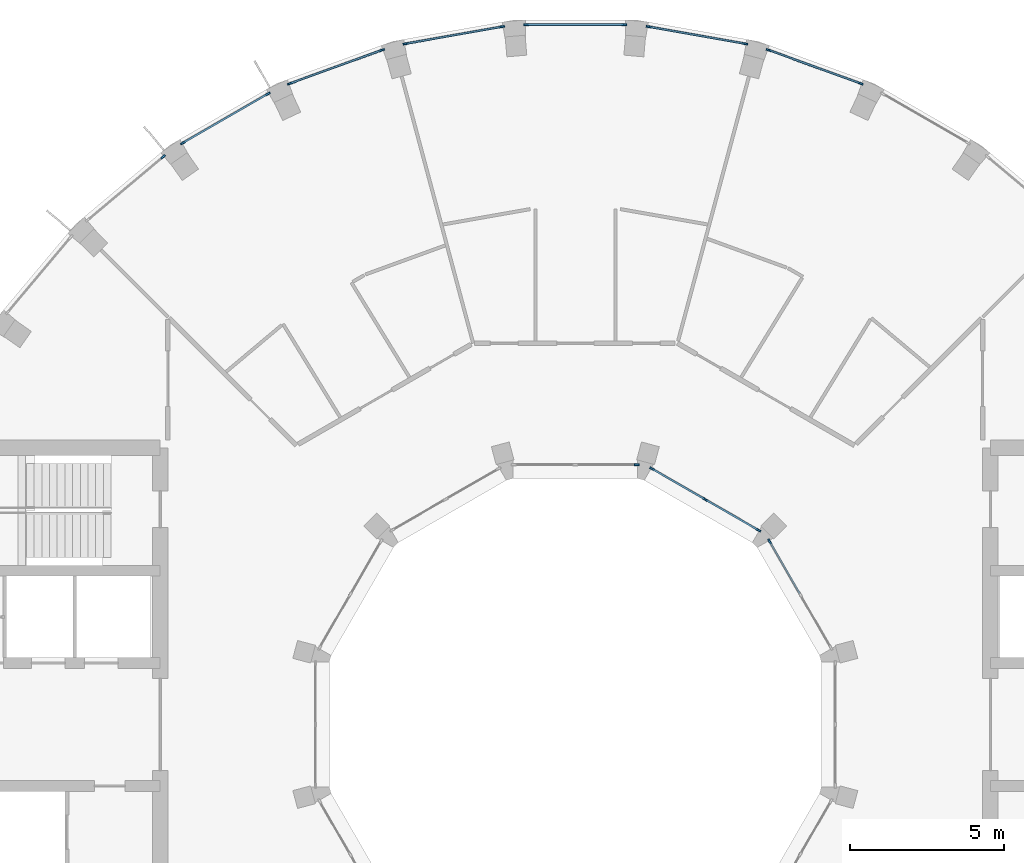
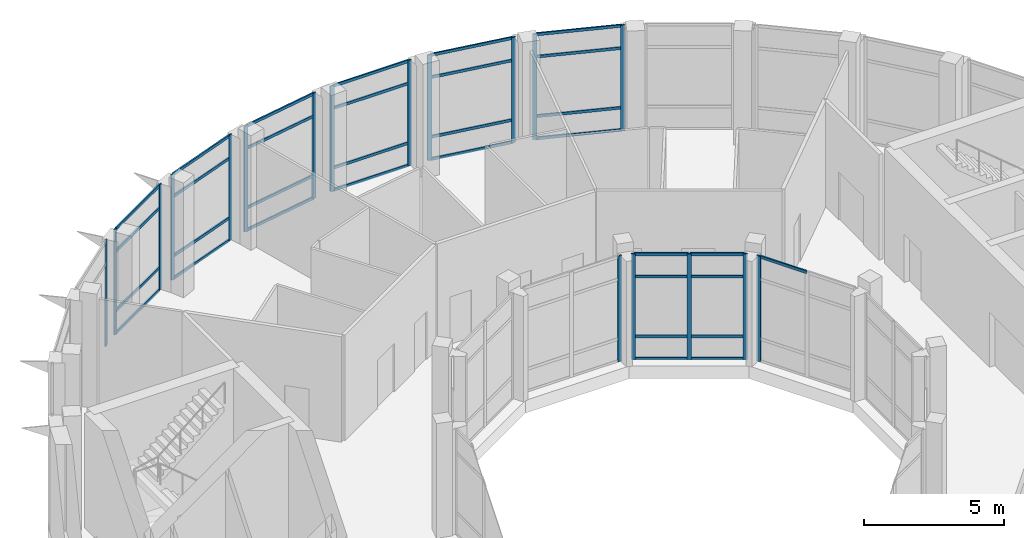
# One storey, part 8 of 19: 51 members, 10 elements without a shape of their own.
"""IFC4 building model written with IfcOpenShell, lengths in metres."""

from ifc_helpers import new_model, si_unit, direction, frame, origin, origin_2d, place, context, subcontext, project, spatial, rectangle, extrude, material, layer, layer_set, material_profile, profile_set, type_object, element, aggregate, save


model = new_model("IFC4")

# Units and contexts
model_context = context("Model", 3, precision=1e-05, world=origin(), true_north=direction((0.0, 1.0)))
body_context = subcontext(model_context, "Body", "Model", "MODEL_VIEW")
ifc_project = project(units=[si_unit("LENGTHUNIT", "METRE"), si_unit("AREAUNIT", "SQUARE_METRE"), si_unit("VOLUMEUNIT", "CUBIC_METRE"), si_unit("PLANEANGLEUNIT", "RADIAN"), si_unit("MASSUNIT", "GRAM", prefix="KILO")], contexts=[model_context])

# Site, building, storey
site_placement = place(None, origin())
site = spatial("IfcSite", under=ifc_project, at=site_placement, CompositionType="ELEMENT")
building_placement = place(site_placement, origin())
building = spatial("IfcBuilding", under=site, at=building_placement, Name="Saqina Gate Tower", CompositionType="ELEMENT")
storey_placement = place(building_placement, frame((0.0, 0.0, 224.699951171875)))
storey = spatial("IfcBuildingStorey", under=building, at=storey_placement, Name="L64", CompositionType="ELEMENT", Elevation=224.699951171875)

# Curtain wall, members
ifc_material_1 = material(Name="Aluminium glazing", Category="aluminium")
ifc_layer_1 = layer(ifc_material_1, 0.159912109375)
ifc_layer_set_1 = layer_set([ifc_layer_1], Name="CWT-2")
curtain_wall_type_1 = type_object("IfcCurtainWallType", Name="CWT-2", PredefinedType="NOTDEFINED", material=ifc_layer_set_1)
curtain_wall_1_placement = place(storey_placement, origin())
curtain_wall_1 = element("IfcCurtainWall", 1, at=curtain_wall_1_placement, inside=storey, type_object=curtain_wall_type_1, Name="Sky lounge glazing facet 7", PredefinedType="NOTDEFINED")
ifc_material_2 = material(Name="Aluminium", Category="aluminium")
ifc_material_profile_1 = material_profile(ifc_material_2, rectangle(XDim=0.06005859375, YDim=0.159912109375, at=origin_2d()), Name="Aluminium 60x160")
ifc_profile_set_1 = profile_set([ifc_material_profile_1], Name="Aluminium")
member_type_1 = type_object("IfcMemberType", Name="CWT-2M", PredefinedType="MULLION", material=ifc_profile_set_1)
member_1_placement = place(storey_placement, frame((9.284912109375, 20.843994140625, 0.0), z_axis=(0.0, 0.0, 1.0), x_axis=(-0.342007258437, -0.939697310402, 0.0)))
member_1 = element("IfcMember", 2, at=member_1_placement, type_object=member_type_1, Name="CW2-07 mullion 1", PredefinedType="MULLION", context=body_context, shape_type="SweptSolid", body=[
    extrude(rectangle(XDim=0.06005859375, YDim=0.159912109375, at=origin_2d()), origin(), (0.0, 0.0, 1.0), 4.60009765625),
])
member_2_placement = place(storey_placement, frame((6.28564453125, 21.935546875, 0.0), z_axis=(0.0, 0.0, 1.0), x_axis=(-0.342007258437, -0.939697310402, 0.0)))
member_2 = element("IfcMember", 3, at=member_2_placement, type_object=member_type_1, Name="CW2-07 mullion 2", PredefinedType="MULLION", context=body_context, shape_type="SweptSolid", body=[
    extrude(rectangle(XDim=0.06005859375, YDim=0.159912109375, at=origin_2d()), origin(), (0.0, 0.0, 1.0), 4.60009765625),
])

curtain_wall_2_placement = place(storey_placement, origin())
curtain_wall_2 = element("IfcCurtainWall", 4, at=curtain_wall_2_placement, inside=storey, type_object=curtain_wall_type_1, Name="Sky lounge glazing facet 8", PredefinedType="NOTDEFINED")
member_3_placement = place(storey_placement, frame((5.524169921875, 22.139404296875, 0.0), z_axis=(0.0, 0.0, 1.0), x_axis=(-0.173662526718, -0.984805222779, 0.0)))
member_3 = element("IfcMember", 5, at=member_3_placement, type_object=member_type_1, Name="CW2-08 mullion 1", PredefinedType="MULLION", context=body_context, shape_type="SweptSolid", body=[
    extrude(rectangle(XDim=0.06005859375, YDim=0.159912109375, at=origin_2d()), origin(), (0.0, 0.0, 1.0), 4.60009765625),
])
member_4_placement = place(storey_placement, frame((2.381103515625, 22.69384765625, 0.0), z_axis=(0.0, 0.0, 1.0), x_axis=(-0.173662526718, -0.984805222779, 0.0)))
member_4 = element("IfcMember", 6, at=member_4_placement, type_object=member_type_1, Name="CW2-08 mullion 2", PredefinedType="MULLION", context=body_context, shape_type="SweptSolid", body=[
    extrude(rectangle(XDim=0.06005859375, YDim=0.159912109375, at=origin_2d()), origin(), (0.0, 0.0, 1.0), 4.60009765625),
])

curtain_wall_3_placement = place(storey_placement, origin())
curtain_wall_3 = element("IfcCurtainWall", 7, at=curtain_wall_3_placement, inside=storey, type_object=curtain_wall_type_1, Name="Sky lounge glazing facet 9", PredefinedType="NOTDEFINED")
member_5_placement = place(storey_placement, frame((1.595703125, 22.762451171875, 0.0), z_axis=(0.0, 0.0, 1.0), x_axis=(0.0, -1.0, 0.0)))
member_5 = element("IfcMember", 8, at=member_5_placement, type_object=member_type_1, Name="CW2-09 mullion 1", PredefinedType="MULLION", context=body_context, shape_type="SweptSolid", body=[
    extrude(rectangle(XDim=0.06005859375, YDim=0.159912109375, at=origin_2d()), origin(), (0.0, 0.0, 1.0), 4.60009765625),
])
member_6_placement = place(storey_placement, frame((-1.595703125, 22.762451171875, 0.0), z_axis=(0.0, 0.0, 1.0), x_axis=(0.0, -1.0, 0.0)))
member_6 = element("IfcMember", 9, at=member_6_placement, type_object=member_type_1, Name="CW2-09 mullion 2", PredefinedType="MULLION", context=body_context, shape_type="SweptSolid", body=[
    extrude(rectangle(XDim=0.06005859375, YDim=0.159912109375, at=origin_2d()), origin(), (0.0, 0.0, 1.0), 4.60009765625),
])

curtain_wall_4_placement = place(storey_placement, origin())
curtain_wall_4 = element("IfcCurtainWall", 10, at=curtain_wall_4_placement, inside=storey, type_object=curtain_wall_type_1, Name="Sky lounge glazing facet 10", PredefinedType="NOTDEFINED")
member_7_placement = place(storey_placement, frame((-2.381103515625, 22.69384765625, 0.0), z_axis=(0.0, 0.0, 1.0), x_axis=(0.173662526718, -0.984805222779, 0.0)))
member_7 = element("IfcMember", 11, at=member_7_placement, type_object=member_type_1, Name="CW2-10 mullion 1", PredefinedType="MULLION", context=body_context, shape_type="SweptSolid", body=[
    extrude(rectangle(XDim=0.06005859375, YDim=0.159912109375, at=origin_2d()), origin(), (0.0, 0.0, 1.0), 4.60009765625),
])
member_8_placement = place(storey_placement, frame((-5.524169921875, 22.139404296875, 0.0), z_axis=(0.0, 0.0, 1.0), x_axis=(0.173662526718, -0.984805222779, 0.0)))
member_8 = element("IfcMember", 12, at=member_8_placement, type_object=member_type_1, Name="CW2-10 mullion 2", PredefinedType="MULLION", context=body_context, shape_type="SweptSolid", body=[
    extrude(rectangle(XDim=0.06005859375, YDim=0.159912109375, at=origin_2d()), origin(), (0.0, 0.0, 1.0), 4.60009765625),
])

curtain_wall_5_placement = place(storey_placement, origin())
curtain_wall_5 = element("IfcCurtainWall", 13, at=curtain_wall_5_placement, inside=storey, type_object=curtain_wall_type_1, Name="Sky lounge glazing facet 11", PredefinedType="NOTDEFINED")
member_9_placement = place(storey_placement, frame((-6.28564453125, 21.935546875, 0.0), z_axis=(0.0, 0.0, 1.0), x_axis=(0.342007258437, -0.939697310402, 0.0)))
member_9 = element("IfcMember", 14, at=member_9_placement, type_object=member_type_1, Name="CW2-11 mullion 1", PredefinedType="MULLION", context=body_context, shape_type="SweptSolid", body=[
    extrude(rectangle(XDim=0.06005859375, YDim=0.159912109375, at=origin_2d()), origin(), (0.0, 0.0, 1.0), 4.60009765625),
])
member_10_placement = place(storey_placement, frame((-9.284912109375, 20.843994140625, 0.0), z_axis=(0.0, 0.0, 1.0), x_axis=(0.342007258437, -0.939697310402, 0.0)))
member_10 = element("IfcMember", 15, at=member_10_placement, type_object=member_type_1, Name="CW2-11 mullion 2", PredefinedType="MULLION", context=body_context, shape_type="SweptSolid", body=[
    extrude(rectangle(XDim=0.06005859375, YDim=0.159912109375, at=origin_2d()), origin(), (0.0, 0.0, 1.0), 4.60009765625),
])

curtain_wall_6_placement = place(storey_placement, origin())
curtain_wall_6 = element("IfcCurtainWall", 16, at=curtain_wall_6_placement, inside=storey, type_object=curtain_wall_type_1, Name="Sky lounge glazing facet 12", PredefinedType="NOTDEFINED")
member_11_placement = place(storey_placement, frame((-9.999267578125, 20.5107421875, 0.0), z_axis=(0.0, 0.0, 1.0), x_axis=(0.499982449212, -0.8660355365, 0.0)))
member_11 = element("IfcMember", 17, at=member_11_placement, type_object=member_type_1, Name="CW2-12 mullion 1", PredefinedType="MULLION", context=body_context, shape_type="SweptSolid", body=[
    extrude(rectangle(XDim=0.06005859375, YDim=0.159912109375, at=origin_2d()), origin(), (0.0, 0.0, 1.0), 4.60009765625),
])
member_12_placement = place(storey_placement, frame((-12.763427734375, 18.9150390625, 0.0), z_axis=(0.0, 0.0, 1.0), x_axis=(0.499982449212, -0.8660355365, 0.0)))
member_12 = element("IfcMember", 18, at=member_12_placement, type_object=member_type_1, Name="CW2-12 mullion 2", PredefinedType="MULLION", context=body_context, shape_type="SweptSolid", body=[
    extrude(rectangle(XDim=0.06005859375, YDim=0.159912109375, at=origin_2d()), origin(), (0.0, 0.0, 1.0), 4.60009765625),
])

# Curtain wall, member
curtain_wall_7_placement = place(storey_placement, origin())
curtain_wall_7 = element("IfcCurtainWall", 19, at=curtain_wall_7_placement, inside=storey, type_object=curtain_wall_type_1, Name="Sky lounge glazing facet 13", PredefinedType="NOTDEFINED")
member_13_placement = place(storey_placement, frame((-13.408935546875, 18.462890625, 0.0), z_axis=(0.0, 0.0, 1.0), x_axis=(0.642785214609, -0.766046452821, 0.0)))
member_13 = element("IfcMember", 20, at=member_13_placement, type_object=member_type_1, Name="CW2-13 mullion 1", PredefinedType="MULLION", context=body_context, shape_type="SweptSolid", body=[
    extrude(rectangle(XDim=0.06005859375, YDim=0.159912109375, at=origin_2d()), origin(), (0.0, 0.0, 1.0), 4.60009765625),
])
aggregate(curtain_wall_7, [member_13])

# Member
ifc_material_3 = material(Name="Aluminium", Category="aluminium")
ifc_material_profile_2 = material_profile(ifc_material_3, rectangle(XDim=0.06005859375, YDim=0.1201171875, at=origin_2d()), Name="Aluminium 60x120")
ifc_profile_set_2 = profile_set([ifc_material_profile_2], Name="Aluminium")
member_type_2 = type_object("IfcMemberType", Name="CWT-2T", PredefinedType="USERDEFINED", material=ifc_profile_set_2)
member_14_placement = place(storey_placement, frame((9.256591796875, 20.854248046875, 0.030029296875), z_axis=(-0.939700067025, 0.341999684258, 0.0), x_axis=(-0.341999684258, -0.939700067025, 0.0)))
member_14 = element("IfcMember", 21, at=member_14_placement, type_object=member_type_2, Name="CW2-07 transom 1.1", ObjectType="TRANSOM", PredefinedType="USERDEFINED", context=body_context, shape_type="SweptSolid", body=[
    extrude(rectangle(XDim=0.06005859375, YDim=0.1201171875, at=origin_2d()), origin(), (0.0, 0.0, 1.0), 3.131591796875),
])

member_15_placement = place(storey_placement, frame((9.256591796875, 20.854248046875, 1.0), z_axis=(-0.939700067025, 0.341999684258, 0.0), x_axis=(-0.341999684258, -0.939700067025, 0.0)))
member_15 = element("IfcMember", 22, at=member_15_placement, type_object=member_type_2, Name="CW2-07 transom 1.2", ObjectType="TRANSOM", PredefinedType="USERDEFINED", context=body_context, shape_type="SweptSolid", body=[
    extrude(rectangle(XDim=0.06005859375, YDim=0.1201171875, at=origin_2d()), origin(), (0.0, 0.0, 1.0), 3.131591796875),
])

member_16_placement = place(storey_placement, frame((9.256591796875, 20.854248046875, 3.60009765625), z_axis=(-0.939700067025, 0.341999684258, 0.0), x_axis=(-0.341999684258, -0.939700067025, 0.0)))
member_16 = element("IfcMember", 23, at=member_16_placement, type_object=member_type_2, Name="CW2-07 transom 1.3", ObjectType="TRANSOM", PredefinedType="USERDEFINED", context=body_context, shape_type="SweptSolid", body=[
    extrude(rectangle(XDim=0.06005859375, YDim=0.1201171875, at=origin_2d()), origin(), (0.0, 0.0, 1.0), 3.131591796875),
])

member_17_placement = place(storey_placement, frame((9.256591796875, 20.854248046875, 4.570068359375), z_axis=(-0.939700067025, 0.341999684258, 0.0), x_axis=(-0.341999684258, -0.939700067025, 0.0)))
member_17 = element("IfcMember", 24, at=member_17_placement, type_object=member_type_2, Name="CW2-07 transom 1.4", ObjectType="TRANSOM", PredefinedType="USERDEFINED", context=body_context, shape_type="SweptSolid", body=[
    extrude(rectangle(XDim=0.06005859375, YDim=0.1201171875, at=origin_2d()), origin(), (0.0, 0.0, 1.0), 3.131591796875),
])

aggregate(curtain_wall_1, [member_1, member_2, member_14, member_15, member_16, member_17])

member_18_placement = place(storey_placement, frame((5.49462890625, 22.144775390625, 0.030029296875), z_axis=(-0.984812584506, 0.173620774675, 0.0), x_axis=(-0.173620774675, -0.984812584506, 0.0)))
member_18 = element("IfcMember", 25, at=member_18_placement, type_object=member_type_2, Name="CW2-08 transom 1.1", ObjectType="TRANSOM", PredefinedType="USERDEFINED", context=body_context, shape_type="SweptSolid", body=[
    extrude(rectangle(XDim=0.06005859375, YDim=0.1201171875, at=origin_2d()), origin(), (0.0, 0.0, 1.0), 3.131591796875),
])

member_19_placement = place(storey_placement, frame((5.49462890625, 22.144775390625, 1.0), z_axis=(-0.984812584506, 0.173620774675, 0.0), x_axis=(-0.173620774675, -0.984812584506, 0.0)))
member_19 = element("IfcMember", 26, at=member_19_placement, type_object=member_type_2, Name="CW2-08 transom 1.2", ObjectType="TRANSOM", PredefinedType="USERDEFINED", context=body_context, shape_type="SweptSolid", body=[
    extrude(rectangle(XDim=0.06005859375, YDim=0.1201171875, at=origin_2d()), origin(), (0.0, 0.0, 1.0), 3.131591796875),
])

member_20_placement = place(storey_placement, frame((5.49462890625, 22.144775390625, 3.60009765625), z_axis=(-0.984812584506, 0.173620774675, 0.0), x_axis=(-0.173620774675, -0.984812584506, 0.0)))
member_20 = element("IfcMember", 27, at=member_20_placement, type_object=member_type_2, Name="CW2-08 transom 1.3", ObjectType="TRANSOM", PredefinedType="USERDEFINED", context=body_context, shape_type="SweptSolid", body=[
    extrude(rectangle(XDim=0.06005859375, YDim=0.1201171875, at=origin_2d()), origin(), (0.0, 0.0, 1.0), 3.131591796875),
])

member_21_placement = place(storey_placement, frame((5.49462890625, 22.144775390625, 4.570068359375), z_axis=(-0.984812584506, 0.173620774675, 0.0), x_axis=(-0.173620774675, -0.984812584506, 0.0)))
member_21 = element("IfcMember", 28, at=member_21_placement, type_object=member_type_2, Name="CW2-08 transom 1.4", ObjectType="TRANSOM", PredefinedType="USERDEFINED", context=body_context, shape_type="SweptSolid", body=[
    extrude(rectangle(XDim=0.06005859375, YDim=0.1201171875, at=origin_2d()), origin(), (0.0, 0.0, 1.0), 3.131591796875),
])

aggregate(curtain_wall_2, [member_3, member_4, member_18, member_19, member_20, member_21])

member_22_placement = place(storey_placement, frame((1.56591796875, 22.762451171875, 0.030029296875), z_axis=(-1.0, 0.0, 0.0), x_axis=(0.0, -1.0, 0.0)))
member_22 = element("IfcMember", 29, at=member_22_placement, type_object=member_type_2, Name="CW2-09 transom 1.1", ObjectType="TRANSOM", PredefinedType="USERDEFINED", context=body_context, shape_type="SweptSolid", body=[
    extrude(rectangle(XDim=0.06005859375, YDim=0.1201171875, at=origin_2d()), origin(), (0.0, 0.0, 1.0), 3.1318359375),
])

member_23_placement = place(storey_placement, frame((1.56591796875, 22.762451171875, 1.0), z_axis=(-1.0, 0.0, 0.0), x_axis=(0.0, -1.0, 0.0)))
member_23 = element("IfcMember", 30, at=member_23_placement, type_object=member_type_2, Name="CW2-09 transom 1.2", ObjectType="TRANSOM", PredefinedType="USERDEFINED", context=body_context, shape_type="SweptSolid", body=[
    extrude(rectangle(XDim=0.06005859375, YDim=0.1201171875, at=origin_2d()), origin(), (0.0, 0.0, 1.0), 3.1318359375),
])

member_24_placement = place(storey_placement, frame((1.56591796875, 22.762451171875, 3.60009765625), z_axis=(-1.0, 0.0, 0.0), x_axis=(0.0, -1.0, 0.0)))
member_24 = element("IfcMember", 31, at=member_24_placement, type_object=member_type_2, Name="CW2-09 transom 1.3", ObjectType="TRANSOM", PredefinedType="USERDEFINED", context=body_context, shape_type="SweptSolid", body=[
    extrude(rectangle(XDim=0.06005859375, YDim=0.1201171875, at=origin_2d()), origin(), (0.0, 0.0, 1.0), 3.1318359375),
])

member_25_placement = place(storey_placement, frame((1.56591796875, 22.762451171875, 4.570068359375), z_axis=(-1.0, 0.0, 0.0), x_axis=(0.0, -1.0, 0.0)))
member_25 = element("IfcMember", 32, at=member_25_placement, type_object=member_type_2, Name="CW2-09 transom 1.4", ObjectType="TRANSOM", PredefinedType="USERDEFINED", context=body_context, shape_type="SweptSolid", body=[
    extrude(rectangle(XDim=0.06005859375, YDim=0.1201171875, at=origin_2d()), origin(), (0.0, 0.0, 1.0), 3.1318359375),
])

aggregate(curtain_wall_3, [member_5, member_6, member_22, member_23, member_24, member_25])

member_26_placement = place(storey_placement, frame((-2.41064453125, 22.6884765625, 0.030029296875), z_axis=(-0.984812584506, -0.173620774675, 0.0), x_axis=(0.173620774675, -0.984812584506, 0.0)))
member_26 = element("IfcMember", 33, at=member_26_placement, type_object=member_type_2, Name="CW2-10 transom 1.1", ObjectType="TRANSOM", PredefinedType="USERDEFINED", context=body_context, shape_type="SweptSolid", body=[
    extrude(rectangle(XDim=0.06005859375, YDim=0.1201171875, at=origin_2d()), origin(), (0.0, 0.0, 1.0), 3.131591796875),
])

member_27_placement = place(storey_placement, frame((-2.41064453125, 22.6884765625, 1.0), z_axis=(-0.984812584506, -0.173620774675, 0.0), x_axis=(0.173620774675, -0.984812584506, 0.0)))
member_27 = element("IfcMember", 34, at=member_27_placement, type_object=member_type_2, Name="CW2-10 transom 1.2", ObjectType="TRANSOM", PredefinedType="USERDEFINED", context=body_context, shape_type="SweptSolid", body=[
    extrude(rectangle(XDim=0.06005859375, YDim=0.1201171875, at=origin_2d()), origin(), (0.0, 0.0, 1.0), 3.131591796875),
])

member_28_placement = place(storey_placement, frame((-2.41064453125, 22.6884765625, 3.60009765625), z_axis=(-0.984812584506, -0.173620774675, 0.0), x_axis=(0.173620774675, -0.984812584506, 0.0)))
member_28 = element("IfcMember", 35, at=member_28_placement, type_object=member_type_2, Name="CW2-10 transom 1.3", ObjectType="TRANSOM", PredefinedType="USERDEFINED", context=body_context, shape_type="SweptSolid", body=[
    extrude(rectangle(XDim=0.06005859375, YDim=0.1201171875, at=origin_2d()), origin(), (0.0, 0.0, 1.0), 3.131591796875),
])

member_29_placement = place(storey_placement, frame((-2.41064453125, 22.6884765625, 4.570068359375), z_axis=(-0.984812584506, -0.173620774675, 0.0), x_axis=(0.173620774675, -0.984812584506, 0.0)))
member_29 = element("IfcMember", 36, at=member_29_placement, type_object=member_type_2, Name="CW2-10 transom 1.4", ObjectType="TRANSOM", PredefinedType="USERDEFINED", context=body_context, shape_type="SweptSolid", body=[
    extrude(rectangle(XDim=0.06005859375, YDim=0.1201171875, at=origin_2d()), origin(), (0.0, 0.0, 1.0), 3.131591796875),
])

aggregate(curtain_wall_4, [member_7, member_8, member_26, member_27, member_28, member_29])

member_30_placement = place(storey_placement, frame((-6.313720703125, 21.92529296875, 0.030029296875), z_axis=(-0.939700067025, -0.341999684258, 0.0), x_axis=(0.341999684258, -0.939700067025, 0.0)))
member_30 = element("IfcMember", 37, at=member_30_placement, type_object=member_type_2, Name="CW2-11 transom 1.1", ObjectType="TRANSOM", PredefinedType="USERDEFINED", context=body_context, shape_type="SweptSolid", body=[
    extrude(rectangle(XDim=0.06005859375, YDim=0.1201171875, at=origin_2d()), origin(), (0.0, 0.0, 1.0), 3.131591796875),
])

member_31_placement = place(storey_placement, frame((-6.313720703125, 21.92529296875, 1.0), z_axis=(-0.939700067025, -0.341999684258, 0.0), x_axis=(0.341999684258, -0.939700067025, 0.0)))
member_31 = element("IfcMember", 38, at=member_31_placement, type_object=member_type_2, Name="CW2-11 transom 1.2", ObjectType="TRANSOM", PredefinedType="USERDEFINED", context=body_context, shape_type="SweptSolid", body=[
    extrude(rectangle(XDim=0.06005859375, YDim=0.1201171875, at=origin_2d()), origin(), (0.0, 0.0, 1.0), 3.131591796875),
])

member_32_placement = place(storey_placement, frame((-6.313720703125, 21.92529296875, 3.60009765625), z_axis=(-0.939700067025, -0.341999684258, 0.0), x_axis=(0.341999684258, -0.939700067025, 0.0)))
member_32 = element("IfcMember", 39, at=member_32_placement, type_object=member_type_2, Name="CW2-11 transom 1.3", ObjectType="TRANSOM", PredefinedType="USERDEFINED", context=body_context, shape_type="SweptSolid", body=[
    extrude(rectangle(XDim=0.06005859375, YDim=0.1201171875, at=origin_2d()), origin(), (0.0, 0.0, 1.0), 3.131591796875),
])

member_33_placement = place(storey_placement, frame((-6.313720703125, 21.92529296875, 4.570068359375), z_axis=(-0.939700067025, -0.341999684258, 0.0), x_axis=(0.341999684258, -0.939700067025, 0.0)))
member_33 = element("IfcMember", 40, at=member_33_placement, type_object=member_type_2, Name="CW2-11 transom 1.4", ObjectType="TRANSOM", PredefinedType="USERDEFINED", context=body_context, shape_type="SweptSolid", body=[
    extrude(rectangle(XDim=0.06005859375, YDim=0.1201171875, at=origin_2d()), origin(), (0.0, 0.0, 1.0), 3.131591796875),
])

aggregate(curtain_wall_5, [member_9, member_10, member_30, member_31, member_32, member_33])

member_34_placement = place(storey_placement, frame((-10.025146484375, 20.495849609375, 0.030029296875), z_axis=(-0.866018117109, -0.50001262068, 0.0), x_axis=(0.50001262068, -0.866018117109, 0.0)))
member_34 = element("IfcMember", 41, at=member_34_placement, type_object=member_type_2, Name="CW2-12 transom 1.1", ObjectType="TRANSOM", PredefinedType="USERDEFINED", context=body_context, shape_type="SweptSolid", body=[
    extrude(rectangle(XDim=0.06005859375, YDim=0.1201171875, at=origin_2d()), origin(), (0.0, 0.0, 1.0), 3.1318359375),
])

member_35_placement = place(storey_placement, frame((-10.025146484375, 20.495849609375, 1.0), z_axis=(-0.866018117109, -0.50001262068, 0.0), x_axis=(0.50001262068, -0.866018117109, 0.0)))
member_35 = element("IfcMember", 42, at=member_35_placement, type_object=member_type_2, Name="CW2-12 transom 1.2", ObjectType="TRANSOM", PredefinedType="USERDEFINED", context=body_context, shape_type="SweptSolid", body=[
    extrude(rectangle(XDim=0.06005859375, YDim=0.1201171875, at=origin_2d()), origin(), (0.0, 0.0, 1.0), 3.1318359375),
])

member_36_placement = place(storey_placement, frame((-10.025146484375, 20.495849609375, 3.60009765625), z_axis=(-0.866018117109, -0.50001262068, 0.0), x_axis=(0.50001262068, -0.866018117109, 0.0)))
member_36 = element("IfcMember", 43, at=member_36_placement, type_object=member_type_2, Name="CW2-12 transom 1.3", ObjectType="TRANSOM", PredefinedType="USERDEFINED", context=body_context, shape_type="SweptSolid", body=[
    extrude(rectangle(XDim=0.06005859375, YDim=0.1201171875, at=origin_2d()), origin(), (0.0, 0.0, 1.0), 3.1318359375),
])

member_37_placement = place(storey_placement, frame((-10.025146484375, 20.495849609375, 4.570068359375), z_axis=(-0.866018117109, -0.50001262068, 0.0), x_axis=(0.50001262068, -0.866018117109, 0.0)))
member_37 = element("IfcMember", 44, at=member_37_placement, type_object=member_type_2, Name="CW2-12 transom 1.4", ObjectType="TRANSOM", PredefinedType="USERDEFINED", context=body_context, shape_type="SweptSolid", body=[
    extrude(rectangle(XDim=0.06005859375, YDim=0.1201171875, at=origin_2d()), origin(), (0.0, 0.0, 1.0), 3.1318359375),
])

aggregate(curtain_wall_6, [member_11, member_12, member_34, member_35, member_36, member_37])

# Curtain wall, member
ifc_material_4 = material(Name="Aluminium glazing", Category="aluminium")
ifc_layer_2 = layer(ifc_material_4, 0.159912109375)
ifc_layer_set_2 = layer_set([ifc_layer_2], Name="CWT-3")
curtain_wall_type_2 = type_object("IfcCurtainWallType", Name="CWT-3", PredefinedType="NOTDEFINED", material=ifc_layer_set_2)
curtain_wall_8_placement = place(storey_placement, origin())
curtain_wall_8 = element("IfcCurtainWall", 45, at=curtain_wall_8_placement, inside=storey, type_object=curtain_wall_type_2, Name="Sky lounge well glazing L64 facet 1", PredefinedType="NOTDEFINED")
ifc_material_5 = material(Name="Aluminium", Category="aluminium")
ifc_material_profile_3 = material_profile(ifc_material_5, rectangle(XDim=0.06005859375, YDim=0.159912109375, at=origin_2d()), Name="Aluminium 60x160")
ifc_profile_set_3 = profile_set([ifc_material_profile_3], Name="Aluminium")
member_type_3 = type_object("IfcMemberType", Name="CWT-3M", PredefinedType="MULLION", material=ifc_profile_set_3)
member_38_placement = place(storey_placement, frame((6.318115234375, 5.95654296875, 0.0), z_axis=(0.0, 0.0, 1.0), x_axis=(-0.866023931115, -0.500002550729, 0.0)))
member_38 = element("IfcMember", 46, at=member_38_placement, type_object=member_type_3, Name="CW3-01 mullion 3", PredefinedType="MULLION", context=body_context, shape_type="SweptSolid", body=[
    extrude(rectangle(XDim=0.06005859375, YDim=0.159912109375, at=origin_2d()), origin(), (0.0, 0.0, 1.0), 4.60009765625),
])

# Curtain wall, members
curtain_wall_9_placement = place(storey_placement, origin())
curtain_wall_9 = element("IfcCurtainWall", 47, at=curtain_wall_9_placement, inside=storey, type_object=curtain_wall_type_2, Name="Sky lounge well glazing L64 facet 2", PredefinedType="NOTDEFINED")
member_39_placement = place(storey_placement, frame((5.95654296875, 6.318115234375, 0.0), z_axis=(0.0, 0.0, 1.0), x_axis=(-0.500002550729, -0.866023931115, 0.0)))
member_39 = element("IfcMember", 48, at=member_39_placement, type_object=member_type_3, Name="CW3-02 mullion 1", PredefinedType="MULLION", context=body_context, shape_type="SweptSolid", body=[
    extrude(rectangle(XDim=0.06005859375, YDim=0.159912109375, at=origin_2d()), origin(), (0.0, 0.0, 1.0), 4.60009765625),
])
member_40_placement = place(storey_placement, frame((4.22509765625, 7.31787109375, 0.0), z_axis=(0.0, 0.0, 1.0), x_axis=(-0.500002550729, -0.866023931115, 0.0)))
member_40 = element("IfcMember", 49, at=member_40_placement, type_object=member_type_3, Name="CW3-02 mullion 2", PredefinedType="MULLION", context=body_context, shape_type="SweptSolid", body=[
    extrude(rectangle(XDim=0.06005859375, YDim=0.159912109375, at=origin_2d()), origin(), (0.0, 0.0, 1.0), 4.60009765625),
])
member_41_placement = place(storey_placement, frame((2.493408203125, 8.317626953125, 0.0), z_axis=(0.0, 0.0, 1.0), x_axis=(-0.500002550729, -0.866023931115, 0.0)))
member_41 = element("IfcMember", 50, at=member_41_placement, type_object=member_type_3, Name="CW3-02 mullion 3", PredefinedType="MULLION", context=body_context, shape_type="SweptSolid", body=[
    extrude(rectangle(XDim=0.06005859375, YDim=0.159912109375, at=origin_2d()), origin(), (0.0, 0.0, 1.0), 4.60009765625),
])

# Curtain wall, member
curtain_wall_10_placement = place(storey_placement, origin())
curtain_wall_10 = element("IfcCurtainWall", 51, at=curtain_wall_10_placement, inside=storey, type_object=curtain_wall_type_2, Name="Sky lounge well glazing L64 facet 3", PredefinedType="NOTDEFINED")
member_42_placement = place(storey_placement, frame((1.99951171875, 8.449951171875, 0.0), z_axis=(0.0, 0.0, 1.0), x_axis=(0.0, -1.0, 0.0)))
member_42 = element("IfcMember", 52, at=member_42_placement, type_object=member_type_3, Name="CW3-03 mullion 1", PredefinedType="MULLION", context=body_context, shape_type="SweptSolid", body=[
    extrude(rectangle(XDim=0.06005859375, YDim=0.159912109375, at=origin_2d()), origin(), (0.0, 0.0, 1.0), 4.60009765625),
])
aggregate(curtain_wall_10, [member_42])

# Member
ifc_material_6 = material(Name="Aluminium", Category="aluminium")
ifc_material_profile_4 = material_profile(ifc_material_6, rectangle(XDim=0.06005859375, YDim=0.1201171875, at=origin_2d()), Name="Aluminium 60x120")
ifc_profile_set_4 = profile_set([ifc_material_profile_4], Name="Aluminium")
member_type_4 = type_object("IfcMemberType", Name="CWT-3T", PredefinedType="USERDEFINED", material=ifc_profile_set_4)
member_43_placement = place(storey_placement, frame((7.302978515625, 4.2509765625, 4.570068359375), z_axis=(-0.500038474733, 0.866003189247, 0.0), x_axis=(-0.866003189247, -0.500038474733, 0.0)))
member_43 = element("IfcMember", 53, at=member_43_placement, type_object=member_type_4, Name="CW3-01 transom 2.4", ObjectType="TRANSOM", PredefinedType="USERDEFINED", context=body_context, shape_type="SweptSolid", body=[
    extrude(rectangle(XDim=0.06005859375, YDim=0.1201171875, at=origin_2d()), origin(), (0.0, 0.0, 1.0), 1.939208984375),
])

aggregate(curtain_wall_8, [member_38, member_43])

member_44_placement = place(storey_placement, frame((5.930419921875, 6.333251953125, 0.030029296875), z_axis=(-0.866003189247, 0.500038474733, 0.0), x_axis=(-0.500038474733, -0.866003189247, 0.0)))
member_44 = element("IfcMember", 54, at=member_44_placement, type_object=member_type_4, Name="CW3-02 transom 1.1", ObjectType="TRANSOM", PredefinedType="USERDEFINED", context=body_context, shape_type="SweptSolid", body=[
    extrude(rectangle(XDim=0.06005859375, YDim=0.1201171875, at=origin_2d()), origin(), (0.0, 0.0, 1.0), 1.939208984375),
])

member_45_placement = place(storey_placement, frame((5.930419921875, 6.333251953125, 1.0), z_axis=(-0.866003189247, 0.500038474733, 0.0), x_axis=(-0.500038474733, -0.866003189247, 0.0)))
member_45 = element("IfcMember", 55, at=member_45_placement, type_object=member_type_4, Name="CW3-02 transom 1.2", ObjectType="TRANSOM", PredefinedType="USERDEFINED", context=body_context, shape_type="SweptSolid", body=[
    extrude(rectangle(XDim=0.06005859375, YDim=0.1201171875, at=origin_2d()), origin(), (0.0, 0.0, 1.0), 1.939208984375),
])

member_46_placement = place(storey_placement, frame((5.930419921875, 6.333251953125, 3.60009765625), z_axis=(-0.866003189247, 0.500038474733, 0.0), x_axis=(-0.500038474733, -0.866003189247, 0.0)))
member_46 = element("IfcMember", 56, at=member_46_placement, type_object=member_type_4, Name="CW3-02 transom 1.3", ObjectType="TRANSOM", PredefinedType="USERDEFINED", context=body_context, shape_type="SweptSolid", body=[
    extrude(rectangle(XDim=0.06005859375, YDim=0.1201171875, at=origin_2d()), origin(), (0.0, 0.0, 1.0), 1.939208984375),
])

member_47_placement = place(storey_placement, frame((5.930419921875, 6.333251953125, 4.570068359375), z_axis=(-0.866003189247, 0.500038474733, 0.0), x_axis=(-0.500038474733, -0.866003189247, 0.0)))
member_47 = element("IfcMember", 57, at=member_47_placement, type_object=member_type_4, Name="CW3-02 transom 1.4", ObjectType="TRANSOM", PredefinedType="USERDEFINED", context=body_context, shape_type="SweptSolid", body=[
    extrude(rectangle(XDim=0.06005859375, YDim=0.1201171875, at=origin_2d()), origin(), (0.0, 0.0, 1.0), 1.939208984375),
])

member_48_placement = place(storey_placement, frame((4.198974609375, 7.3330078125, 0.030029296875), z_axis=(-0.866057702667, 0.499944052521, 0.0), x_axis=(-0.499944052521, -0.866057702667, 0.0)))
member_48 = element("IfcMember", 58, at=member_48_placement, type_object=member_type_4, Name="CW3-02 transom 2.1", ObjectType="TRANSOM", PredefinedType="USERDEFINED", context=body_context, shape_type="SweptSolid", body=[
    extrude(rectangle(XDim=0.06005859375, YDim=0.1201171875, at=origin_2d()), origin(), (0.0, 0.0, 1.0), 1.939208984375),
])

member_49_placement = place(storey_placement, frame((4.198974609375, 7.3330078125, 1.0), z_axis=(-0.866057702667, 0.499944052521, 0.0), x_axis=(-0.499944052521, -0.866057702667, 0.0)))
member_49 = element("IfcMember", 59, at=member_49_placement, type_object=member_type_4, Name="CW3-02 transom 2.2", ObjectType="TRANSOM", PredefinedType="USERDEFINED", context=body_context, shape_type="SweptSolid", body=[
    extrude(rectangle(XDim=0.06005859375, YDim=0.1201171875, at=origin_2d()), origin(), (0.0, 0.0, 1.0), 1.939208984375),
])

member_50_placement = place(storey_placement, frame((4.198974609375, 7.3330078125, 3.60009765625), z_axis=(-0.866057702667, 0.499944052521, 0.0), x_axis=(-0.499944052521, -0.866057702667, 0.0)))
member_50 = element("IfcMember", 60, at=member_50_placement, type_object=member_type_4, Name="CW3-02 transom 2.3", ObjectType="TRANSOM", PredefinedType="USERDEFINED", context=body_context, shape_type="SweptSolid", body=[
    extrude(rectangle(XDim=0.06005859375, YDim=0.1201171875, at=origin_2d()), origin(), (0.0, 0.0, 1.0), 1.939208984375),
])

member_51_placement = place(storey_placement, frame((4.198974609375, 7.3330078125, 4.570068359375), z_axis=(-0.866057702667, 0.499944052521, 0.0), x_axis=(-0.499944052521, -0.866057702667, 0.0)))
member_51 = element("IfcMember", 61, at=member_51_placement, type_object=member_type_4, Name="CW3-02 transom 2.4", ObjectType="TRANSOM", PredefinedType="USERDEFINED", context=body_context, shape_type="SweptSolid", body=[
    extrude(rectangle(XDim=0.06005859375, YDim=0.1201171875, at=origin_2d()), origin(), (0.0, 0.0, 1.0), 1.939208984375),
])

aggregate(curtain_wall_9, [member_39, member_40, member_41, member_44, member_45, member_46, member_47, member_48, member_49, member_50, member_51])

save(model, "model.ifc")
